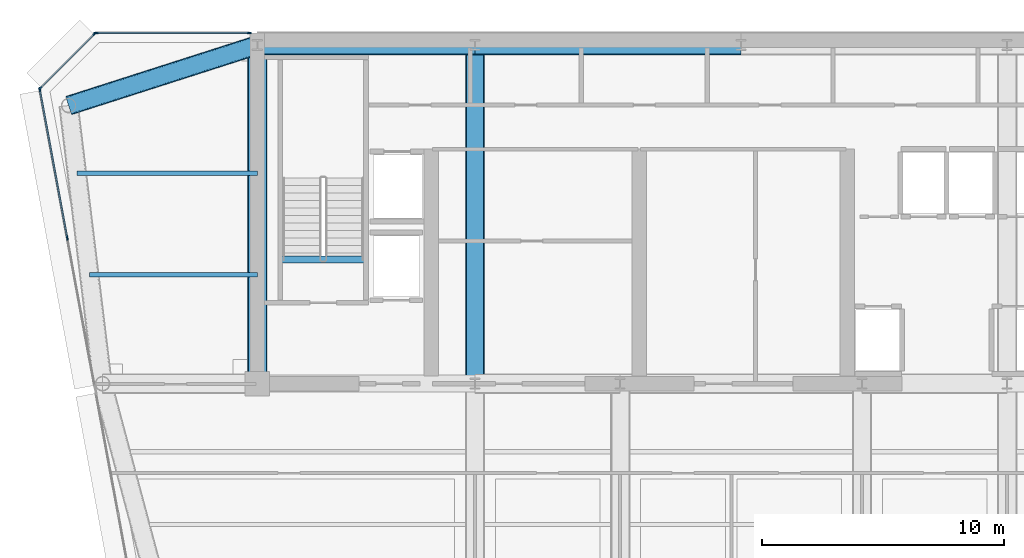
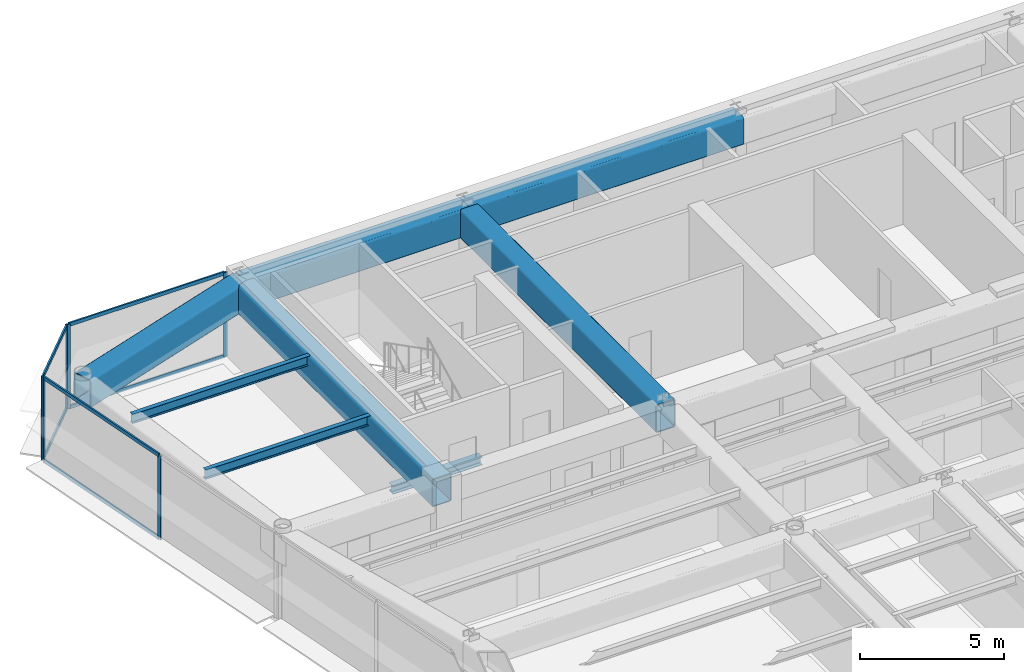
# One storey, part 8 of 17: 12 members, 8 beams, 3 elements without a shape of their own.
"""IFC4 building model written with IfcOpenShell, lengths in metres."""

from ifc_helpers import new_model, si_unit, direction, frame, origin, origin_2d, place, context, subcontext, project, spatial, rectangle, hollow_rectangle, i_section, extrude, source, transform, mapped, material, layer, layer_set, material_profile, profile_set, type_object, element, aggregate, save


model = new_model("IFC4")

# Units and contexts
model_context = context("Model", 3, precision=1e-05, world=origin(), true_north=direction((0.0, 1.0)))
body_context = subcontext(model_context, "Body", "Model", "MODEL_VIEW")
ifc_project = project(units=[si_unit("LENGTHUNIT", "METRE"), si_unit("AREAUNIT", "SQUARE_METRE"), si_unit("VOLUMEUNIT", "CUBIC_METRE"), si_unit("PLANEANGLEUNIT", "RADIAN"), si_unit("MASSUNIT", "GRAM", prefix="KILO")], contexts=[model_context])

# Site, building, storey
site_placement = place(None, origin())
site = spatial("IfcSite", under=ifc_project, at=site_placement, CompositionType="ELEMENT")
building_placement = place(site_placement, origin())
building = spatial("IfcBuilding", under=site, at=building_placement, Name="Vaeldorn Concourse Tower", CompositionType="ELEMENT")
storey_placement = place(building_placement, frame((0.0, 0.0, 234.60009765625)))
storey = spatial("IfcBuildingStorey", under=building, at=storey_placement, Name="L60", CompositionType="ELEMENT", Elevation=234.60009765625)

# Beams
ifc_material_1 = material(Name="Steel S355", Category="steel")
ifc_material_profile_1 = material_profile(ifc_material_1, i_section(OverallWidth=0.300048828125, OverallDepth=0.340087890625, WebThickness=0.011962890625, FlangeThickness=0.021484375, FilletRadius=0.027099609375, at=origin_2d()), Name="HEB 340")
ifc_profile_set_1 = profile_set([ifc_material_profile_1], Name="Steel S355")
beam_type_1 = type_object("IfcBeamType", Name="BM-ST-TRIM", PredefinedType="BEAM", material=ifc_profile_set_1)
shared_shape_1 = source(origin(), body_context, "Body", "SweptSolid", [
    extrude(i_section(OverallWidth=0.300048828125, OverallDepth=0.340087890625, WebThickness=0.011962890625, FlangeThickness=0.021484375, FilletRadius=0.027099609375, at=origin_2d()), origin(), (0.0, 0.0, 1.0), 3.590087890625),
])
beam_1_placement = place(storey_placement, frame((14.929931640625, 41.639892578125, -0.39013671875), z_axis=(1.0, 0.0, 0.0), x_axis=(0.0, 1.0, 0.0)))
element("IfcBeam", 1, at=beam_1_placement, inside=storey, type_object=beam_type_1, Name="Stair Landing Trimmer Beam ST-1 L60", PredefinedType="BEAM", context=body_context, shape_type="MappedRepresentation", body=[
    mapped(shared_shape_1, transform((0.0, 0.0, 0.0), scale=1.0)),
])
ifc_material_2 = material(Name="Steel S460", Category="steel")
ifc_material_profile_2 = material_profile(ifc_material_2, hollow_rectangle(XDim=0.800048828125, YDim=1.199951171875, WallThickness=0.044921875, InnerFilletRadius=0.044921875, OuterFilletRadius=0.090087890625, at=origin_2d()), Name="RHS 1200x800x45")
ifc_profile_set_2 = profile_set([ifc_material_profile_2], Name="Steel S460")
beam_type_2 = type_object("IfcBeamType", Name="BM-TG-RHS1200", PredefinedType="BEAM", material=ifc_profile_set_2)
shared_shape_2 = source(origin(), body_context, "Body", "SweptSolid", [
    extrude(hollow_rectangle(XDim=0.800048828125, YDim=1.199951171875, WallThickness=0.044921875, InnerFilletRadius=0.044921875, OuterFilletRadius=0.090087890625, at=origin_2d()), origin(), (0.0, 0.0, 1.0), 9.0),
])
beam_2_placement = place(storey_placement, frame((14.0, 50.5, 2.97998046875), z_axis=(1.0, 0.0, 0.0), x_axis=(0.0, 1.0, 0.0)))
element("IfcBeam", 2, at=beam_2_placement, inside=storey, type_object=beam_type_2, Name="Beam BM-L60-C-HC1-C-HC2", PredefinedType="BEAM", context=body_context, shape_type="MappedRepresentation", body=[
    mapped(shared_shape_2, transform((0.0, 0.0, 0.0), scale=1.0)),
])
shared_shape_3 = source(origin(), body_context, "Body", "SweptSolid", [
    extrude(hollow_rectangle(XDim=0.800048828125, YDim=1.199951171875, WallThickness=0.044921875, InnerFilletRadius=0.044921875, OuterFilletRadius=0.090087890625, at=origin_2d()), origin(), (0.0, 0.0, 1.0), 11.0),
])
beam_3_placement = place(storey_placement, frame((23.0, 50.5, 2.97998046875), z_axis=(1.0, 0.0, 0.0), x_axis=(0.0, 1.0, 0.0)))
element("IfcBeam", 3, at=beam_3_placement, inside=storey, type_object=beam_type_2, Name="Beam BM-L60-C-HC2-C-HC3", PredefinedType="BEAM", context=body_context, shape_type="MappedRepresentation", body=[
    mapped(shared_shape_3, transform((0.0, 0.0, 0.0), scale=1.0)),
])
shared_shape_4 = source(origin(), body_context, "Body", "SweptSolid", [
    extrude(hollow_rectangle(XDim=0.800048828125, YDim=1.199951171875, WallThickness=0.044921875, InnerFilletRadius=0.044921875, OuterFilletRadius=0.090087890625, at=origin_2d()), origin(), (0.0, 0.0, 1.0), 14.0),
])
for number, where, z_axis, x_axis, name in (
    (4, (14.0, 36.5, 2.97998046875), (0.0, 1.0, 0.0), (-1.0, 0.0, 0.0), "Beam BM-L60-C-FC1-C-HC1"),
    (5, (23.0, 36.5, 2.97998046875), (0.0, 1.0, 0.0), (-1.0, 0.0, 0.0), "Beam BM-L60-C-FC2-C-HC2"),
):
    element("IfcBeam", number, at=place(storey_placement, frame(where, z_axis=z_axis, x_axis=x_axis)), inside=storey, type_object=beam_type_2, Name=name, PredefinedType="BEAM", context=body_context, shape_type="MappedRepresentation", body=[
        mapped(shared_shape_4, transform((0.0, 0.0, 0.0), scale=1.0)),
    ])
shared_shape_5 = source(origin(), body_context, "Body", "SweptSolid", [
    extrude(hollow_rectangle(XDim=0.800048828125, YDim=1.199951171875, WallThickness=0.044921875, InnerFilletRadius=0.044921875, OuterFilletRadius=0.090087890625, at=origin_2d()), origin(), (0.0, 0.0, 1.0), 8.19091796875),
])
beam_4_placement = place(storey_placement, frame((6.199951171875, 48.0, 2.97998046875), z_axis=(0.952282843383, 0.305216949396, 0.0), x_axis=(-0.305216949396, 0.952282843383, 0.0)))
element("IfcBeam", 6, at=beam_4_placement, inside=storey, type_object=beam_type_2, Name="Beam BM-L60-C-NW1-C-HC1", PredefinedType="BEAM", context=body_context, shape_type="MappedRepresentation", body=[
    mapped(shared_shape_5, transform((0.0, 0.0, 0.0), scale=1.0)),
])
ifc_material_profile_3 = material_profile(ifc_material_1, i_section(OverallWidth=0.179931640625, OverallDepth=0.39990234375, WebThickness=0.008544921875, FlangeThickness=0.013427734375, FilletRadius=0.02099609375, at=origin_2d()), Name="IPE 400")
ifc_profile_set_3 = profile_set([ifc_material_profile_3], Name="Steel S355")
beam_type_3 = type_object("IfcBeamType", Name="BM-JS-IPE400", PredefinedType="JOIST", material=ifc_profile_set_3)
shared_shape_6 = source(origin(), body_context, "Body", "SweptSolid", [
    extrude(i_section(OverallWidth=0.179931640625, OverallDepth=0.39990234375, WebThickness=0.008544921875, FlangeThickness=0.013427734375, FilletRadius=0.02099609375, at=origin_2d()), origin(), (0.0, 0.0, 1.0), 6.94775390625),
])
beam_5_placement = place(storey_placement, frame((7.05224609375, 41.0, 3.3798828125), z_axis=(1.0, 0.0, 0.0), x_axis=(0.0, 1.0, 0.0)))
element("IfcBeam", 7, at=beam_5_placement, inside=storey, type_object=beam_type_3, Name="Beam JS-L60-NW-410", PredefinedType="JOIST", context=body_context, shape_type="MappedRepresentation", body=[
    mapped(shared_shape_6, transform((0.0, 0.0, 0.0), scale=1.0)),
])
shared_shape_7 = source(origin(), body_context, "Body", "SweptSolid", [
    extrude(i_section(OverallWidth=0.179931640625, OverallDepth=0.39990234375, WebThickness=0.008544921875, FlangeThickness=0.013427734375, FilletRadius=0.02099609375, at=origin_2d()), origin(), (0.0, 0.0, 1.0), 7.458984375),
])
beam_6_placement = place(storey_placement, frame((6.541015625, 45.199951171875, 3.3798828125), z_axis=(1.0, 0.0, 0.0), x_axis=(0.0, 1.0, 0.0)))
element("IfcBeam", 8, at=beam_6_placement, inside=storey, type_object=beam_type_3, Name="Beam JS-L60-NW-452", PredefinedType="JOIST", context=body_context, shape_type="MappedRepresentation", body=[
    mapped(shared_shape_7, transform((0.0, 0.0, 0.0), scale=1.0)),
])

# Curtain wall, members
ifc_material_3 = material(Name="Anodised Bronze Aluminium", Category="aluminium")
ifc_layer = layer(ifc_material_3, 0.179931640625)
ifc_layer_set = layer_set([ifc_layer], Name="Anodised Bronze Aluminium")
curtain_wall_type = type_object("IfcCurtainWallType", Name="CW-SYS-05", PredefinedType="NOTDEFINED", material=ifc_layer_set)
curtain_wall_1_placement = place(storey_placement, origin())
curtain_wall_1 = element("IfcCurtainWall", 9, at=curtain_wall_1_placement, inside=storey, type_object=curtain_wall_type, Name="Unitised Curtain Wall CW-L60-E09-2", PredefinedType="NOTDEFINED")
ifc_material_profile_4 = material_profile(ifc_material_3, rectangle(XDim=0.06494140625, YDim=0.169921875, at=origin_2d()), Name="CWM 65x170")
ifc_profile_set_4 = profile_set([ifc_material_profile_4], Name="Anodised Bronze Aluminium")
member_type_1 = type_object("IfcMemberType", Name="CWM-BRONZE-170", PredefinedType="MULLION", material=ifc_profile_set_4)
shared_shape_8 = source(origin(), body_context, "Body", "SweptSolid", [
    extrude(rectangle(XDim=0.06494140625, YDim=0.169921875, at=origin_2d()), origin(), (0.0, 0.0, 1.0), 3.579833984375),
])
member_1_placement = place(storey_placement, frame((13.672607421875, 51.0, 0.0), z_axis=(0.0, 0.0, 1.0), x_axis=(0.0, -1.0, 0.0)))
member_1 = element("IfcMember", 10, at=member_1_placement, type_object=member_type_1, Name="CW-05 mullion 1", PredefinedType="MULLION", context=body_context, shape_type="MappedRepresentation", body=[
    mapped(shared_shape_8, transform((0.0, 0.0, 0.0), scale=1.0)),
])
member_2_placement = place(storey_placement, frame((7.33251953125, 51.0, 0.0), z_axis=(0.0, 0.0, 1.0), x_axis=(0.0, -1.0, 0.0)))
member_2 = element("IfcMember", 11, at=member_2_placement, type_object=member_type_1, Name="CW-05 mullion 2", PredefinedType="MULLION", context=body_context, shape_type="MappedRepresentation", body=[
    mapped(shared_shape_8, transform((0.0, 0.0, 0.0), scale=1.0)),
])

curtain_wall_2_placement = place(storey_placement, origin())
curtain_wall_2 = element("IfcCurtainWall", 12, at=curtain_wall_2_placement, inside=storey, type_object=curtain_wall_type, Name="Unitised Curtain Wall CW-L60-E10-1", PredefinedType="NOTDEFINED")
member_3_placement = place(storey_placement, frame((7.277099609375, 50.97705078125, 0.0), z_axis=(0.0, 0.0, 1.0), x_axis=(0.707106781187, -0.707106781187, 0.0)))
member_3 = element("IfcMember", 13, at=member_3_placement, type_object=member_type_1, Name="CW-05 mullion 1", PredefinedType="MULLION", context=body_context, shape_type="MappedRepresentation", body=[
    mapped(shared_shape_8, transform((0.0, 0.0, 0.0), scale=1.0)),
])
member_4_placement = place(storey_placement, frame((5.02294921875, 48.722900390625, 0.0), z_axis=(0.0, 0.0, 1.0), x_axis=(0.707106781187, -0.707106781187, 0.0)))
member_4 = element("IfcMember", 14, at=member_4_placement, type_object=member_type_1, Name="CW-05 mullion 2", PredefinedType="MULLION", context=body_context, shape_type="MappedRepresentation", body=[
    mapped(shared_shape_8, transform((0.0, 0.0, 0.0), scale=1.0)),
])

curtain_wall_3_placement = place(storey_placement, origin())
curtain_wall_3 = element("IfcCurtainWall", 15, at=curtain_wall_3_placement, inside=storey, type_object=curtain_wall_type, Name="Unitised Curtain Wall CW-L60-E11-1", PredefinedType="NOTDEFINED")
member_5_placement = place(storey_placement, frame((5.005859375, 48.66796875, 0.0), z_axis=(0.0, 0.0, 1.0), x_axis=(0.983319198447, 0.181888300792, 0.0)))
member_5 = element("IfcMember", 16, at=member_5_placement, type_object=member_type_1, Name="CW-05 mullion 1", PredefinedType="MULLION", context=body_context, shape_type="MappedRepresentation", body=[
    mapped(shared_shape_8, transform((0.0, 0.0, 0.0), scale=1.0)),
])
member_6_placement = place(storey_placement, frame((6.142578125, 42.5234375, 0.0), z_axis=(0.0, 0.0, 1.0), x_axis=(0.983319198447, 0.181888300792, 0.0)))
member_6 = element("IfcMember", 17, at=member_6_placement, type_object=member_type_1, Name="CW-05 mullion 2", PredefinedType="MULLION", context=body_context, shape_type="MappedRepresentation", body=[
    mapped(shared_shape_8, transform((0.0, 0.0, 0.0), scale=1.0)),
])

# Member
ifc_material_profile_5 = material_profile(ifc_material_3, rectangle(XDim=0.06494140625, YDim=0.14990234375, at=origin_2d()), Name="CWT 65x150")
ifc_profile_set_5 = profile_set([ifc_material_profile_5], Name="Anodised Bronze Aluminium")
member_type_2 = type_object("IfcMemberType", Name="CWT-BRONZE-150", PredefinedType="USERDEFINED", material=ifc_profile_set_5)
shared_shape_9 = source(origin(), body_context, "Body", "SweptSolid", [
    extrude(rectangle(XDim=0.06494140625, YDim=0.14990234375, at=origin_2d()), origin(), (0.0, 0.0, 1.0), 3.123046875),
])
member_7_placement = place(storey_placement, frame((7.254150390625, 50.9541015625, 0.032470703125), z_axis=(-0.707106781187, -0.707106781187, 0.0), x_axis=(0.707106781187, -0.707106781187, 0.0)))
member_7 = element("IfcMember", 18, at=member_7_placement, type_object=member_type_2, Name="CW-05 transom 1.1", ObjectType="TRANSOM", PredefinedType="USERDEFINED", context=body_context, shape_type="MappedRepresentation", body=[
    mapped(shared_shape_9, transform((0.0, 0.0, 0.0), scale=1.0)),
])

member_8_placement = place(storey_placement, frame((7.254150390625, 50.9541015625, 3.54736328125), z_axis=(-0.707106781187, -0.707106781187, 0.0), x_axis=(0.707106781187, -0.707106781187, 0.0)))
member_8 = element("IfcMember", 19, at=member_8_placement, type_object=member_type_2, Name="CW-05 transom 1.2", ObjectType="TRANSOM", PredefinedType="USERDEFINED", context=body_context, shape_type="MappedRepresentation", body=[
    mapped(shared_shape_9, transform((0.0, 0.0, 0.0), scale=1.0)),
])

aggregate(curtain_wall_2, [member_3, member_4, member_7, member_8])

shared_shape_10 = source(origin(), body_context, "Body", "SweptSolid", [
    extrude(rectangle(XDim=0.06494140625, YDim=0.14990234375, at=origin_2d()), origin(), (0.0, 0.0, 1.0), 6.27490234375),
])
member_9_placement = place(storey_placement, frame((13.639892578125, 51.0, 0.032470703125), z_axis=(-1.0, 0.0, 0.0), x_axis=(0.0, -1.0, 0.0)))
member_9 = element("IfcMember", 20, at=member_9_placement, type_object=member_type_2, Name="CW-05 transom 1.1", ObjectType="TRANSOM", PredefinedType="USERDEFINED", context=body_context, shape_type="MappedRepresentation", body=[
    mapped(shared_shape_10, transform((0.0, 0.0, 0.0), scale=1.0)),
])

member_10_placement = place(storey_placement, frame((13.639892578125, 51.0, 3.54736328125), z_axis=(-1.0, 0.0, 0.0), x_axis=(0.0, -1.0, 0.0)))
member_10 = element("IfcMember", 21, at=member_10_placement, type_object=member_type_2, Name="CW-05 transom 1.2", ObjectType="TRANSOM", PredefinedType="USERDEFINED", context=body_context, shape_type="MappedRepresentation", body=[
    mapped(shared_shape_10, transform((0.0, 0.0, 0.0), scale=1.0)),
])

aggregate(curtain_wall_1, [member_1, member_2, member_9, member_10])

shared_shape_11 = source(origin(), body_context, "Body", "SweptSolid", [
    extrude(rectangle(XDim=0.06494140625, YDim=0.14990234375, at=origin_2d()), origin(), (0.0, 0.0, 1.0), 6.183837890625),
])
member_11_placement = place(storey_placement, frame((5.01171875, 48.635986328125, 0.032470703125), z_axis=(0.181889913007, -0.983318900228, 0.0), x_axis=(0.983318900228, 0.181889913007, 0.0)))
member_11 = element("IfcMember", 22, at=member_11_placement, type_object=member_type_2, Name="CW-05 transom 1.1", ObjectType="TRANSOM", PredefinedType="USERDEFINED", context=body_context, shape_type="MappedRepresentation", body=[
    mapped(shared_shape_11, transform((0.0, 0.0, 0.0), scale=1.0)),
])

member_12_placement = place(storey_placement, frame((5.01171875, 48.635986328125, 3.54736328125), z_axis=(0.181889913007, -0.983318900228, 0.0), x_axis=(0.983318900228, 0.181889913007, 0.0)))
member_12 = element("IfcMember", 23, at=member_12_placement, type_object=member_type_2, Name="CW-05 transom 1.2", ObjectType="TRANSOM", PredefinedType="USERDEFINED", context=body_context, shape_type="MappedRepresentation", body=[
    mapped(shared_shape_11, transform((0.0, 0.0, 0.0), scale=1.0)),
])

aggregate(curtain_wall_3, [member_5, member_6, member_11, member_12])

save(model, "model.ifc")
